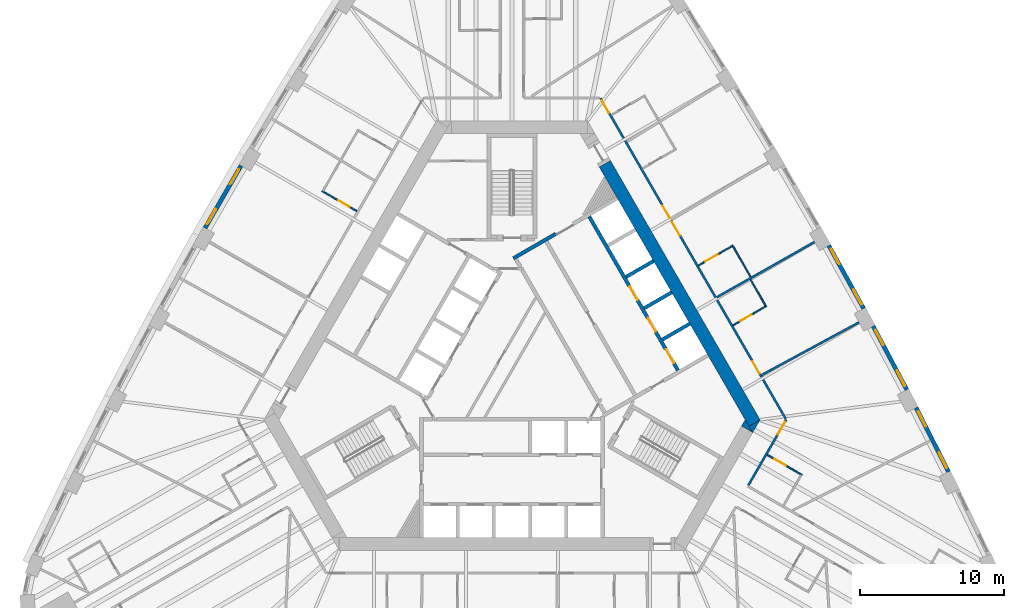
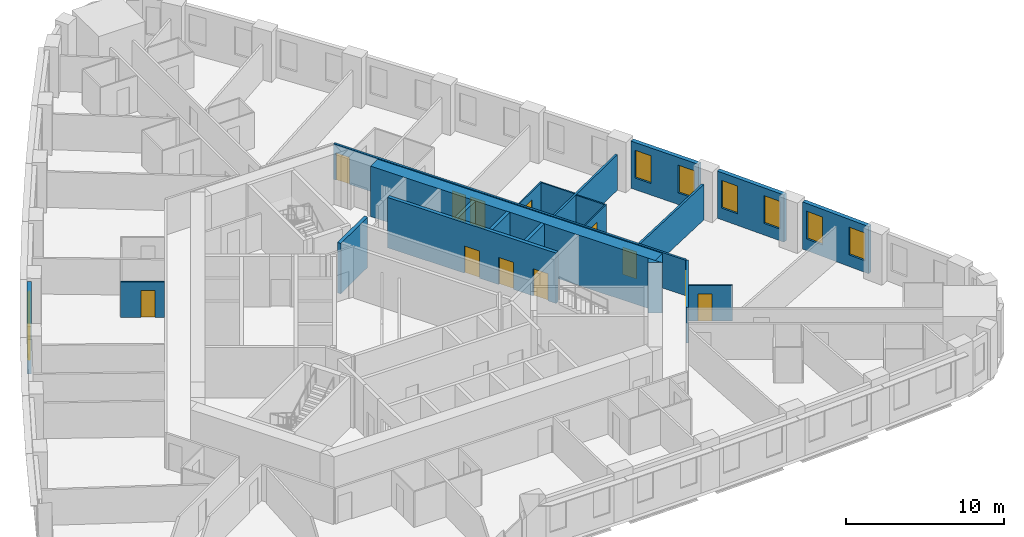
# One storey, part 8 of 12: 22 walls, 12 doors, 8 windows, 20 openings.
"""IFC4 building model written with IfcOpenShell, lengths in metres."""

from ifc_helpers import new_model, si_unit, direction, frame, frame_2d, origin, place, context, subcontext, project, spatial, polyline, rectangle, outline, extrude, material, layer, layer_set, type_object, element, fill, save


model = new_model("IFC4")

# Units and contexts
model_context = context("Model", 3, precision=1e-05, world=origin(), true_north=direction((0.0, 1.0)))
body_context = subcontext(model_context, "Body", "Model", "MODEL_VIEW")
ifc_project = project(units=[si_unit("LENGTHUNIT", "METRE"), si_unit("AREAUNIT", "SQUARE_METRE"), si_unit("VOLUMEUNIT", "CUBIC_METRE"), si_unit("PLANEANGLEUNIT", "RADIAN"), si_unit("MASSUNIT", "GRAM", prefix="KILO")], contexts=[model_context])

# Site, building, storey
site_placement = place(None, origin())
site = spatial("IfcSite", under=ifc_project, at=site_placement, CompositionType="ELEMENT")
building_placement = place(site_placement, origin())
building = spatial("IfcBuilding", under=site, at=building_placement, Name="Mestral Congress Tower", CompositionType="ELEMENT")
storey_placement = place(building_placement, frame((0.0, 0.0, 66.60009765625)))
storey = spatial("IfcBuildingStorey", under=building, at=storey_placement, Name="L15", CompositionType="ELEMENT", Elevation=66.60009765625)

# Walls
ifc_material_1 = material(Name="Concrete C60/75", Category="concrete")
ifc_layer_1 = layer(ifc_material_1, 0.89990234375)
ifc_layer_set_1 = layer_set([ifc_layer_1], Name="Concrete C60/75")
wall_type_1 = type_object("IfcWallType", Name="Core wall RC 900", PredefinedType="SOLIDWALL", material=ifc_layer_set_1)
wall_1_placement = place(storey_placement, frame((6.4609375, 13.9091796875, 0.0), z_axis=(0.0, 0.0, 1.0), x_axis=(0.500005804227, -0.866022052686, 0.0)))
element("IfcWall", 1, at=wall_1_placement, inside=storey, type_object=wall_type_1, Name="L15 core wall", PredefinedType="SOLIDWALL", context=body_context, shape_type="SweptSolid", body=[
    extrude(rectangle(XDim=20.833740234375, YDim=0.89990234375, at=frame_2d((10.4169921875, 0.0))), origin(), (0.0, 0.0, 1.0), 3.89990234375),
])
placement = place(storey_placement, origin())
element("IfcWall", 2, at=placement, inside=storey, type_object=wall_type_1, Name="L15 core wall", PredefinedType="SOLIDWALL", context=body_context, shape_type="SweptSolid", body=[
    extrude(outline(polyline([(16.7431640625, -4.800048828125), (16.4892578125, -4.360107421875), (17.251220703125, -3.920166015625), (16.7431640625, -4.800048828125)])), origin(), (0.0, 0.0, 1.0), 3.89990234375),
])
element("IfcWall", 3, at=placement, inside=storey, type_object=wall_type_1, Name="L15 core wall", PredefinedType="SOLIDWALL", context=body_context, shape_type="SweptSolid", body=[
    extrude(outline(polyline([(16.223388671875, -3.900146484375), (16.731689453125, -4.780029296875), (15.969482421875, -4.340087890625), (16.223388671875, -3.900146484375)])), origin(), (0.0, 0.0, 1.0), 3.89990234375),
])

# Wall, openings, windows
ifc_material_2 = material(Name="Precast concrete C40/50 with limestone facing", Category="masonry")
ifc_layer_2 = layer(ifc_material_2, 0.2900390625)
ifc_layer_set_2 = layer_set([ifc_layer_2], Name="Precast concrete C40/50 with limestone facing")
wall_type_2 = type_object("IfcWallType", Name="Facade stone wall 290", PredefinedType="SOLIDWALL", material=ifc_layer_set_2)
wall_4_placement = place(storey_placement, frame((30.376953125, -7.5205078125, 0.0), z_axis=(0.0, 0.0, 1.0), x_axis=(-0.451233929645, 0.892405704115, 0.0)))
wall_4 = element("IfcWall", 4, at=wall_4_placement, inside=storey, type_object=wall_type_2, Name="Facade wall F1-01", PredefinedType="SOLIDWALL", context=body_context, shape_type="SweptSolid", body=[
    extrude(rectangle(XDim=4.998291015625, YDim=0.2900390625, at=frame_2d((2.4990234375, 0.0))), origin(), (0.0, 0.0, 1.0), 3.64990234375),
])
opening_1_placement = place(wall_4_placement, frame((0.297119140625, 0.0, 0.89990234375)))
opening_1 = element("IfcOpeningElement", 5, at=opening_1_placement, cuts=wall_4, Name="Opening W1", PredefinedType="OPENING", context=body_context, shape_type="SweptSolid", body=[
    extrude(rectangle(XDim=1.199951171875, YDim=2.14990234375, at=frame_2d((0.60009765625, 1.074951171875))), frame((0.0, 0.155029296875, 0.0), z_axis=(0.0, -1.0, 0.0), x_axis=(1.0, 0.0, 0.0)), (0.0, 0.0, 1.0), 0.31005859375),
])
opening_2_placement = place(wall_4_placement, frame((3.501220703125, 0.0, 0.89990234375)))
opening_2 = element("IfcOpeningElement", 6, at=opening_2_placement, cuts=wall_4, Name="Opening W1", PredefinedType="OPENING", context=body_context, shape_type="SweptSolid", body=[
    extrude(rectangle(XDim=1.199951171875, YDim=2.14990234375, at=frame_2d((0.60009765625, 1.074951171875))), frame((0.0, 0.155029296875, 0.0), z_axis=(0.0, -1.0, 0.0), x_axis=(1.0, 0.0, 0.0)), (0.0, 0.0, 1.0), 0.31005859375),
])
ifc_material_3 = material(Name="Clear low-emissivity double glazing", Category="glass")
window_type = type_object("IfcWindowType", Name="Facade punched window 1200 x 2150 sill 900", PartitioningType="DOUBLE_PANEL_VERTICAL", PredefinedType="WINDOW", material=ifc_material_3)
window_1_placement = place(opening_1_placement, origin())
window_1 = element("IfcWindow", 7, at=window_1_placement, inside=storey, type_object=window_type, Name="Window F1-01a", OverallHeight=2.14990234375, OverallWidth=1.199951171875, PartitioningType="DOUBLE_PANEL_VERTICAL", PredefinedType="WINDOW", context=body_context, shape_type="SweptSolid", body=[
    extrude(rectangle(XDim=1.199951171875, YDim=2.14990234375, at=frame_2d((0.60009765625, 1.074951171875))), frame((0.0, 0.01513671875, 0.0), z_axis=(0.0, -1.0, 0.0), x_axis=(1.0, 0.0, 0.0)), (0.0, 0.0, 1.0), 0.06005859375),
])
fill(opening_1, window_1)
window_2_placement = place(opening_2_placement, origin())
window_2 = element("IfcWindow", 8, at=window_2_placement, inside=storey, type_object=window_type, Name="Window F1-01b", OverallHeight=2.14990234375, OverallWidth=1.199951171875, PartitioningType="DOUBLE_PANEL_VERTICAL", PredefinedType="WINDOW", context=body_context, shape_type="SweptSolid", body=[
    extrude(rectangle(XDim=1.199951171875, YDim=2.14990234375, at=frame_2d((0.60009765625, 1.074951171875))), frame((0.0, 0.01513671875, 0.0), z_axis=(0.0, -1.0, 0.0), x_axis=(1.0, 0.0, 0.0)), (0.0, 0.0, 1.0), 0.06005859375),
])
fill(opening_2, window_2)

wall_5_placement = place(storey_placement, frame((27.47509765625, -1.810302734375, 0.0), z_axis=(0.0, 0.0, 1.0), x_axis=(-0.467629620899, 0.883924509026, 0.0)))
wall_5 = element("IfcWall", 9, at=wall_5_placement, inside=storey, type_object=wall_type_2, Name="Facade wall F1-02", PredefinedType="SOLIDWALL", context=body_context, shape_type="SweptSolid", body=[
    extrude(rectangle(XDim=4.998291015625, YDim=0.2900390625, at=frame_2d((2.4990234375, 0.0))), origin(), (0.0, 0.0, 1.0), 3.64990234375),
])
opening_3_placement = place(wall_5_placement, frame((0.297119140625, 0.0, 0.89990234375)))
opening_3 = element("IfcOpeningElement", 10, at=opening_3_placement, cuts=wall_5, Name="Opening W1", PredefinedType="OPENING", context=body_context, shape_type="SweptSolid", body=[
    extrude(rectangle(XDim=1.199951171875, YDim=2.14990234375, at=frame_2d((0.60009765625, 1.074951171875))), frame((0.0, 0.155029296875, 0.0), z_axis=(0.0, -1.0, 0.0), x_axis=(1.0, 0.0, 0.0)), (0.0, 0.0, 1.0), 0.31005859375),
])
opening_4_placement = place(wall_5_placement, frame((3.501220703125, 0.0, 0.89990234375)))
opening_4 = element("IfcOpeningElement", 11, at=opening_4_placement, cuts=wall_5, Name="Opening W1", PredefinedType="OPENING", context=body_context, shape_type="SweptSolid", body=[
    extrude(rectangle(XDim=1.199951171875, YDim=2.14990234375, at=frame_2d((0.60009765625, 1.074951171875))), frame((0.0, 0.155029296875, 0.0), z_axis=(0.0, -1.0, 0.0), x_axis=(1.0, 0.0, 0.0)), (0.0, 0.0, 1.0), 0.31005859375),
])
window_3_placement = place(opening_3_placement, origin())
window_3 = element("IfcWindow", 12, at=window_3_placement, inside=storey, type_object=window_type, Name="Window F1-02a", OverallHeight=2.14990234375, OverallWidth=1.199951171875, PartitioningType="DOUBLE_PANEL_VERTICAL", PredefinedType="WINDOW", context=body_context, shape_type="SweptSolid", body=[
    extrude(rectangle(XDim=1.199951171875, YDim=2.14990234375, at=frame_2d((0.60009765625, 1.074951171875))), frame((0.0, 0.01513671875, 0.0), z_axis=(0.0, -1.0, 0.0), x_axis=(1.0, 0.0, 0.0)), (0.0, 0.0, 1.0), 0.06005859375),
])
fill(opening_3, window_3)
window_4_placement = place(opening_4_placement, origin())
window_4 = element("IfcWindow", 13, at=window_4_placement, inside=storey, type_object=window_type, Name="Window F1-02b", OverallHeight=2.14990234375, OverallWidth=1.199951171875, PartitioningType="DOUBLE_PANEL_VERTICAL", PredefinedType="WINDOW", context=body_context, shape_type="SweptSolid", body=[
    extrude(rectangle(XDim=1.199951171875, YDim=2.14990234375, at=frame_2d((0.60009765625, 1.074951171875))), frame((0.0, 0.01513671875, 0.0), z_axis=(0.0, -1.0, 0.0), x_axis=(1.0, 0.0, 0.0)), (0.0, 0.0, 1.0), 0.06005859375),
])
fill(opening_4, window_4)

wall_6_placement = place(storey_placement, frame((24.46826171875, 3.845703125, 0.0), z_axis=(0.0, 0.0, 1.0), x_axis=(-0.483912572871, 0.875116347589, 0.0)))
wall_6 = element("IfcWall", 14, at=wall_6_placement, inside=storey, type_object=wall_type_2, Name="Facade wall F1-03", PredefinedType="SOLIDWALL", context=body_context, shape_type="SweptSolid", body=[
    extrude(rectangle(XDim=4.998291015625, YDim=0.2900390625, at=frame_2d((2.4990234375, 0.0))), origin(), (0.0, 0.0, 1.0), 3.64990234375),
])
opening_5_placement = place(wall_6_placement, frame((0.297119140625, 0.0, 0.89990234375)))
opening_5 = element("IfcOpeningElement", 15, at=opening_5_placement, cuts=wall_6, Name="Opening W1", PredefinedType="OPENING", context=body_context, shape_type="SweptSolid", body=[
    extrude(rectangle(XDim=1.199951171875, YDim=2.14990234375, at=frame_2d((0.60009765625, 1.074951171875))), frame((0.0, 0.155029296875, 0.0), z_axis=(0.0, -1.0, 0.0), x_axis=(1.0, 0.0, 0.0)), (0.0, 0.0, 1.0), 0.31005859375),
])
opening_6_placement = place(wall_6_placement, frame((3.501220703125, 0.0, 0.89990234375)))
opening_6 = element("IfcOpeningElement", 16, at=opening_6_placement, cuts=wall_6, Name="Opening W1", PredefinedType="OPENING", context=body_context, shape_type="SweptSolid", body=[
    extrude(rectangle(XDim=1.199951171875, YDim=2.14990234375, at=frame_2d((0.60009765625, 1.074951171875))), frame((0.0, 0.155029296875, 0.0), z_axis=(0.0, -1.0, 0.0), x_axis=(1.0, 0.0, 0.0)), (0.0, 0.0, 1.0), 0.31005859375),
])
window_5_placement = place(opening_5_placement, origin())
window_5 = element("IfcWindow", 17, at=window_5_placement, inside=storey, type_object=window_type, Name="Window F1-03a", OverallHeight=2.14990234375, OverallWidth=1.199951171875, PartitioningType="DOUBLE_PANEL_VERTICAL", PredefinedType="WINDOW", context=body_context, shape_type="SweptSolid", body=[
    extrude(rectangle(XDim=1.199951171875, YDim=2.14990234375, at=frame_2d((0.60009765625, 1.074951171875))), frame((0.0, 0.01513671875, 0.0), z_axis=(0.0, -1.0, 0.0), x_axis=(1.0, 0.0, 0.0)), (0.0, 0.0, 1.0), 0.06005859375),
])
fill(opening_5, window_5)
window_6_placement = place(opening_6_placement, origin())
window_6 = element("IfcWindow", 18, at=window_6_placement, inside=storey, type_object=window_type, Name="Window F1-03b", OverallHeight=2.14990234375, OverallWidth=1.199951171875, PartitioningType="DOUBLE_PANEL_VERTICAL", PredefinedType="WINDOW", context=body_context, shape_type="SweptSolid", body=[
    extrude(rectangle(XDim=1.199951171875, YDim=2.14990234375, at=frame_2d((0.60009765625, 1.074951171875))), frame((0.0, 0.01513671875, 0.0), z_axis=(0.0, -1.0, 0.0), x_axis=(1.0, 0.0, 0.0)), (0.0, 0.0, 1.0), 0.06005859375),
])
fill(opening_6, window_6)

wall_7_placement = place(storey_placement, frame((-18.85791015625, 13.7734375, 0.0), z_axis=(0.0, 0.0, 1.0), x_axis=(-0.50002123722, -0.866013142123, 0.0)))
wall_7 = element("IfcWall", 19, at=wall_7_placement, inside=storey, type_object=wall_type_2, Name="Facade wall F2-04", PredefinedType="SOLIDWALL", context=body_context, shape_type="SweptSolid", body=[
    extrude(rectangle(XDim=4.998291015625, YDim=0.2900390625, at=frame_2d((2.4990234375, 0.0))), origin(), (0.0, 0.0, 1.0), 3.64990234375),
])
opening_7_placement = place(wall_7_placement, frame((0.297119140625, 0.0, 0.89990234375)))
opening_7 = element("IfcOpeningElement", 20, at=opening_7_placement, cuts=wall_7, Name="Opening W1", PredefinedType="OPENING", context=body_context, shape_type="SweptSolid", body=[
    extrude(rectangle(XDim=1.199951171875, YDim=2.14990234375, at=frame_2d((0.60009765625, 1.074951171875))), frame((0.0, 0.155029296875, 0.0), z_axis=(0.0, -1.0, 0.0), x_axis=(1.0, 0.0, 0.0)), (0.0, 0.0, 1.0), 0.31005859375),
])
opening_8_placement = place(wall_7_placement, frame((3.501220703125, 0.0, 0.89990234375)))
opening_8 = element("IfcOpeningElement", 21, at=opening_8_placement, cuts=wall_7, Name="Opening W1", PredefinedType="OPENING", context=body_context, shape_type="SweptSolid", body=[
    extrude(rectangle(XDim=1.199951171875, YDim=2.14990234375, at=frame_2d((0.60009765625, 1.074951171875))), frame((0.0, 0.155029296875, 0.0), z_axis=(0.0, -1.0, 0.0), x_axis=(1.0, 0.0, 0.0)), (0.0, 0.0, 1.0), 0.31005859375),
])
window_7_placement = place(opening_7_placement, origin())
window_7 = element("IfcWindow", 22, at=window_7_placement, inside=storey, type_object=window_type, Name="Window F2-04a", OverallHeight=2.14990234375, OverallWidth=1.199951171875, PartitioningType="DOUBLE_PANEL_VERTICAL", PredefinedType="WINDOW", context=body_context, shape_type="SweptSolid", body=[
    extrude(rectangle(XDim=1.199951171875, YDim=2.14990234375, at=frame_2d((0.60009765625, 1.074951171875))), frame((0.0, 0.01513671875, 0.0), z_axis=(0.0, -1.0, 0.0), x_axis=(1.0, 0.0, 0.0)), (0.0, 0.0, 1.0), 0.06005859375),
])
fill(opening_7, window_7)
window_8_placement = place(opening_8_placement, origin())
window_8 = element("IfcWindow", 23, at=window_8_placement, inside=storey, type_object=window_type, Name="Window F2-04b", OverallHeight=2.14990234375, OverallWidth=1.199951171875, PartitioningType="DOUBLE_PANEL_VERTICAL", PredefinedType="WINDOW", context=body_context, shape_type="SweptSolid", body=[
    extrude(rectangle(XDim=1.199951171875, YDim=2.14990234375, at=frame_2d((0.60009765625, 1.074951171875))), frame((0.0, 0.01513671875, 0.0), z_axis=(0.0, -1.0, 0.0), x_axis=(1.0, 0.0, 0.0)), (0.0, 0.0, 1.0), 0.06005859375),
])
fill(opening_8, window_8)

# Wall, opening, door
ifc_material_4 = material(Name="Gypsum board partition on metal studs with mineral wool", Category="composite")
ifc_layer_3 = layer(ifc_material_4, 0.10009765625)
ifc_layer_set_3 = layer_set([ifc_layer_3], Name="Gypsum board partition on metal studs with mineral wool")
wall_type_3 = type_object("IfcWallType", Name="Hotel partition wall 100", PredefinedType="PARTITIONING", material=ifc_layer_set_3)
wall_8_placement = place(storey_placement, frame((20.18212890625, -7.743408203125, 0.0), z_axis=(0.0, 0.0, 1.0), x_axis=(-0.866034573852, 0.49998411664, 0.0)))
wall_8 = element("IfcWall", 24, at=wall_8_placement, inside=storey, type_object=wall_type_3, Name="L15-h-pod09a", PredefinedType="PARTITIONING", context=body_context, shape_type="SweptSolid", body=[
    extrude(rectangle(XDim=2.7998046875, YDim=0.10009765625, at=frame_2d((1.39990234375, 0.0))), origin(), (0.0, 0.0, 1.0), 2.75),
])
opening_9_placement = place(wall_8_placement, frame((1.300048828125, 0.0, 0.0)))
opening_9 = element("IfcOpeningElement", 25, at=opening_9_placement, cuts=wall_8, Name="Opening H04-018", PredefinedType="OPENING", context=body_context, shape_type="SweptSolid", body=[
    extrude(rectangle(XDim=0.89990234375, YDim=2.10009765625, at=frame_2d((0.449951171875, 1.050048828125))), frame((0.0, 0.06005859375, 0.0), z_axis=(0.0, -1.0, 0.0), x_axis=(1.0, 0.0, 0.0)), (0.0, 0.0, 1.0), 0.1201171875),
])
ifc_material_5 = material(Name="Timber veneer door leaf in timber frame", Category="wood")
door_type_1 = type_object("IfcDoorType", Name="Bathroom door 900", OperationType="SINGLE_SWING_LEFT", PredefinedType="DOOR", material=ifc_material_5)
door_1_placement = place(opening_9_placement, origin())
door_1 = element("IfcDoor", 26, at=door_1_placement, inside=storey, type_object=door_type_1, Name="L15-h-d018", OperationType="SINGLE_SWING_RIGHT", OverallHeight=2.10009765625, OverallWidth=0.89990234375, PredefinedType="DOOR", context=body_context, shape_type="SweptSolid", body=[
    extrude(rectangle(XDim=0.89990234375, YDim=2.10009765625, at=frame_2d((0.449951171875, 1.050048828125))), frame((0.0, 0.02490234375, 0.0), z_axis=(0.0, -1.0, 0.0), x_axis=(1.0, 0.0, 0.0)), (0.0, 0.0, 1.0), 0.050048828125),
])
fill(opening_9, door_1)

wall_9_placement = place(storey_placement, frame((15.376220703125, 2.66796875, 0.0), z_axis=(0.0, 0.0, 1.0), x_axis=(0.866036505625, 0.499980770555, 0.0)))
wall_9 = element("IfcWall", 27, at=wall_9_placement, inside=storey, type_object=wall_type_3, Name="L15-h-pod10a", PredefinedType="PARTITIONING", context=body_context, shape_type="SweptSolid", body=[
    extrude(rectangle(XDim=2.69970703125, YDim=0.10009765625, at=frame_2d((1.349853515625, 0.0))), origin(), (0.0, 0.0, 1.0), 2.75),
])
opening_10_placement = place(wall_9_placement, frame((0.60009765625, 0.0, 0.0)))
opening_10 = element("IfcOpeningElement", 28, at=opening_10_placement, cuts=wall_9, Name="Opening H04-020", PredefinedType="OPENING", context=body_context, shape_type="SweptSolid", body=[
    extrude(rectangle(XDim=0.89990234375, YDim=2.10009765625, at=frame_2d((0.449951171875, 1.050048828125))), frame((0.0, 0.06005859375, 0.0), z_axis=(0.0, -1.0, 0.0), x_axis=(1.0, 0.0, 0.0)), (0.0, 0.0, 1.0), 0.1201171875),
])
door_2_placement = place(opening_10_placement, origin())
door_2 = element("IfcDoor", 29, at=door_2_placement, inside=storey, type_object=door_type_1, Name="L15-h-d020", OperationType="SINGLE_SWING_LEFT", OverallHeight=2.10009765625, OverallWidth=0.89990234375, PredefinedType="DOOR", context=body_context, shape_type="SweptSolid", body=[
    extrude(rectangle(XDim=0.89990234375, YDim=2.10009765625, at=frame_2d((0.449951171875, 1.050048828125))), frame((0.0, 0.02490234375, 0.0), z_axis=(0.0, -1.0, 0.0), x_axis=(1.0, 0.0, 0.0)), (0.0, 0.0, 1.0), 0.050048828125),
])
fill(opening_10, door_2)

# Wall
wall_10_placement = place(storey_placement, frame((17.64599609375, 4.0361328125, 0.0), z_axis=(0.0, 0.0, 1.0), x_axis=(-0.500027713859, 0.866009402589, 0.0)))
element("IfcWall", 30, at=wall_10_placement, inside=storey, type_object=wall_type_3, Name="L15-h-pod10b", PredefinedType="PARTITIONING", context=body_context, shape_type="SweptSolid", body=[
    extrude(rectangle(XDim=2.10009765625, YDim=0.10009765625, at=frame_2d((1.050048828125, 0.0))), origin(), (0.0, 0.0, 1.0), 2.75),
])

# Wall, opening, door
wall_11_placement = place(storey_placement, frame((15.3974609375, 8.23095703125, 0.0), z_axis=(0.0, 0.0, 1.0), x_axis=(-0.866018616679, -0.500011755427, 0.0)))
wall_11 = element("IfcWall", 31, at=wall_11_placement, inside=storey, type_object=wall_type_3, Name="L15-h-pod11a", PredefinedType="PARTITIONING", context=body_context, shape_type="SweptSolid", body=[
    extrude(rectangle(XDim=2.80029296875, YDim=0.10009765625, at=frame_2d((1.400146484375, 0.0))), origin(), (0.0, 0.0, 1.0), 2.75),
])
opening_11_placement = place(wall_11_placement, frame((1.25, 0.0, 0.0)))
opening_11 = element("IfcOpeningElement", 32, at=opening_11_placement, cuts=wall_11, Name="Opening H04-022", PredefinedType="OPENING", context=body_context, shape_type="SweptSolid", body=[
    extrude(rectangle(XDim=1.0, YDim=2.10009765625, at=frame_2d((0.5, 1.050048828125))), frame((0.0, 0.06005859375, 0.0), z_axis=(0.0, -1.0, 0.0), x_axis=(1.0, 0.0, 0.0)), (0.0, 0.0, 1.0), 0.1201171875),
])
door_type_2 = type_object("IfcDoorType", Name="Accessible bathroom door 1000", OperationType="SINGLE_SWING_LEFT", PredefinedType="DOOR", material=ifc_material_5)
door_3_placement = place(opening_11_placement, origin())
door_3 = element("IfcDoor", 33, at=door_3_placement, inside=storey, type_object=door_type_2, Name="L15-h-d022", OperationType="SINGLE_SWING_LEFT", OverallHeight=2.10009765625, OverallWidth=1.0, PredefinedType="DOOR", context=body_context, shape_type="SweptSolid", body=[
    extrude(rectangle(XDim=1.0, YDim=2.10009765625, at=frame_2d((0.5, 1.050048828125))), frame((0.0, 0.02490234375, 0.0), z_axis=(0.0, -1.0, 0.0), x_axis=(1.0, 0.0, 0.0)), (0.0, 0.0, 1.0), 0.050048828125),
])
fill(opening_11, door_3)

# Wall
wall_12_placement = place(storey_placement, frame((15.379150390625, 8.16259765625, 0.0), z_axis=(0.0, 0.0, 1.0), x_axis=(0.499987006516, -0.866032905446, 0.0)))
element("IfcWall", 34, at=wall_12_placement, inside=storey, type_object=wall_type_3, Name="L15-h-pod11b", PredefinedType="PARTITIONING", context=body_context, shape_type="SweptSolid", body=[
    extrude(rectangle(XDim=2.44970703125, YDim=0.10009765625, at=frame_2d((1.224853515625, 0.0))), origin(), (0.0, 0.0, 1.0), 2.75),
])

# Wall, opening, door
wall_13_placement = place(storey_placement, frame((-13.215087890625, 12.0107421875, 0.0), z_axis=(0.0, 0.0, 1.0), x_axis=(0.865996816683, -0.500049511043, 0.0)))
wall_13 = element("IfcWall", 35, at=wall_13_placement, inside=storey, type_object=wall_type_3, Name="L15-h-pod19a", PredefinedType="PARTITIONING", context=body_context, shape_type="SweptSolid", body=[
    extrude(rectangle(XDim=2.800048828125, YDim=0.10009765625, at=frame_2d((1.39990234375, 0.0))), origin(), (0.0, 0.0, 1.0), 2.75),
])
opening_12_placement = place(wall_13_placement, frame((1.300048828125, 0.0, 0.0)))
opening_12 = element("IfcOpeningElement", 36, at=opening_12_placement, cuts=wall_13, Name="Opening H04-038", PredefinedType="OPENING", context=body_context, shape_type="SweptSolid", body=[
    extrude(rectangle(XDim=0.89990234375, YDim=2.10009765625, at=frame_2d((0.449951171875, 1.050048828125))), frame((0.0, 0.06005859375, 0.0), z_axis=(0.0, -1.0, 0.0), x_axis=(1.0, 0.0, 0.0)), (0.0, 0.0, 1.0), 0.1201171875),
])
door_4_placement = place(opening_12_placement, origin())
door_4 = element("IfcDoor", 37, at=door_4_placement, inside=storey, type_object=door_type_1, Name="L15-h-d038", OperationType="SINGLE_SWING_LEFT", OverallHeight=2.10009765625, OverallWidth=0.89990234375, PredefinedType="DOOR", context=body_context, shape_type="SweptSolid", body=[
    extrude(rectangle(XDim=0.89990234375, YDim=2.10009765625, at=frame_2d((0.449951171875, 1.050048828125))), frame((0.0, 0.02490234375, 0.0), z_axis=(0.0, -1.0, 0.0), x_axis=(1.0, 0.0, 0.0)), (0.0, 0.0, 1.0), 0.050048828125),
])
fill(opening_12, door_4)

ifc_layer_4 = layer(ifc_material_4, 0.14990234375)
ifc_layer_set_4 = layer_set([ifc_layer_4], Name="Gypsum board partition on metal studs with mineral wool")
wall_type_4 = type_object("IfcWallType", Name="Hotel partition wall 150", PredefinedType="PARTITIONING", material=ifc_layer_set_4)
wall_14_placement = place(storey_placement, frame((19.081298828125, -3.89990234375, 0.0), z_axis=(0.0, 0.0, 1.0), x_axis=(-0.499974327079, -0.866040225545, 0.0)))
wall_14 = element("IfcWall", 38, at=wall_14_placement, inside=storey, type_object=wall_type_4, Name="L15-h-cw02", PredefinedType="PARTITIONING", context=body_context, shape_type="SweptSolid", body=[
    extrude(rectangle(XDim=5.258056640625, YDim=0.14990234375, at=frame_2d((2.62890625, 0.0))), origin(), (0.0, 0.0, 1.0), 2.75),
])
opening_13_placement = place(wall_14_placement, frame((0.179931640625, 0.0, 0.0)))
opening_13 = element("IfcOpeningElement", 39, at=opening_13_placement, cuts=wall_14, Name="Opening H04-017", PredefinedType="OPENING", context=body_context, shape_type="SweptSolid", body=[
    extrude(rectangle(XDim=1.0, YDim=2.10009765625, at=frame_2d((0.5, 1.050048828125))), frame((0.0, 0.0849609375, 0.0), z_axis=(0.0, -1.0, 0.0), x_axis=(1.0, 0.0, 0.0)), (0.0, 0.0, 1.0), 0.169921875),
])
ifc_material_6 = material(Name="Timber veneer door leaf in metal frame", Category="wood")
door_type_3 = type_object("IfcDoorType", Name="Guest room entrance door 1000", OperationType="SINGLE_SWING_LEFT", PredefinedType="DOOR", material=ifc_material_6)
door_5_placement = place(opening_13_placement, origin())
door_5 = element("IfcDoor", 40, at=door_5_placement, inside=storey, type_object=door_type_3, Name="L15-h-d017", OperationType="SINGLE_SWING_LEFT", OverallHeight=2.10009765625, OverallWidth=1.0, PredefinedType="DOOR", context=body_context, shape_type="SweptSolid", body=[
    extrude(rectangle(XDim=1.0, YDim=2.10009765625, at=frame_2d((0.5, 1.050048828125))), frame((0.0, 0.02490234375, 0.0), z_axis=(0.0, -1.0, 0.0), x_axis=(1.0, 0.0, 0.0)), (0.0, 0.0, 1.0), 0.050048828125),
])
fill(opening_13, door_5)

# Wall, openings, doors
wall_15_placement = place(storey_placement, frame((6.1630859375, 18.47509765625, 0.0), z_axis=(0.0, 0.0, 1.0), x_axis=(0.500001317485, -0.866024643133, 0.0)))
wall_15 = element("IfcWall", 41, at=wall_15_placement, inside=storey, type_object=wall_type_4, Name="L15-h-cw03", PredefinedType="PARTITIONING", context=body_context, shape_type="SweptSolid", body=[
    extrude(rectangle(XDim=25.7666015625, YDim=0.14990234375, at=frame_2d((12.88330078125, 0.0))), origin(), (0.0, 0.0, 1.0), 2.75),
])
opening_14_placement = place(wall_15_placement, frame((21.13818359375, 0.0, 0.0)))
opening_14 = element("IfcOpeningElement", 42, at=opening_14_placement, cuts=wall_15, Name="Opening H04-019", PredefinedType="OPENING", context=body_context, shape_type="SweptSolid", body=[
    extrude(rectangle(XDim=1.0, YDim=2.10009765625, at=frame_2d((0.5, 1.050048828125))), frame((0.0, 0.0849609375, 0.0), z_axis=(0.0, -1.0, 0.0), x_axis=(1.0, 0.0, 0.0)), (0.0, 0.0, 1.0), 0.169921875),
])
opening_15_placement = place(wall_15_placement, frame((9.94775390625, 0.0, 0.0)))
opening_15 = element("IfcOpeningElement", 43, at=opening_15_placement, cuts=wall_15, Name="Opening H04-021", PredefinedType="OPENING", context=body_context, shape_type="SweptSolid", body=[
    extrude(rectangle(XDim=1.10009765625, YDim=2.10009765625, at=frame_2d((0.550048828125, 1.050048828125))), frame((0.0, 0.0849609375, 0.0), z_axis=(0.0, -1.0, 0.0), x_axis=(1.0, 0.0, 0.0)), (0.0, 0.0, 1.0), 0.169921875),
])
opening_16_placement = place(wall_15_placement, frame((8.640625, 0.0, 0.0)))
opening_16 = element("IfcOpeningElement", 44, at=opening_16_placement, cuts=wall_15, Name="Opening H04-023", PredefinedType="OPENING", context=body_context, shape_type="SweptSolid", body=[
    extrude(rectangle(XDim=1.0, YDim=2.10009765625, at=frame_2d((0.5, 1.050048828125))), frame((0.0, 0.0849609375, 0.0), z_axis=(0.0, -1.0, 0.0), x_axis=(1.0, 0.0, 0.0)), (0.0, 0.0, 1.0), 0.169921875),
])
opening_17_placement = place(wall_15_placement, frame((0.179931640625, 0.0, 0.0)))
opening_17 = element("IfcOpeningElement", 45, at=opening_17_placement, cuts=wall_15, Name="Opening H04-025", PredefinedType="OPENING", context=body_context, shape_type="SweptSolid", body=[
    extrude(rectangle(XDim=1.0, YDim=2.10009765625, at=frame_2d((0.5, 1.050048828125))), frame((0.0, 0.0849609375, 0.0), z_axis=(0.0, -1.0, 0.0), x_axis=(1.0, 0.0, 0.0)), (0.0, 0.0, 1.0), 0.169921875),
])
door_type_4 = type_object("IfcDoorType", Name="Accessible room entrance door 1100", OperationType="SINGLE_SWING_LEFT", PredefinedType="DOOR", material=ifc_material_6)
door_6_placement = place(opening_15_placement, origin())
door_6 = element("IfcDoor", 46, at=door_6_placement, inside=storey, type_object=door_type_4, Name="L15-h-d021", OperationType="SINGLE_SWING_LEFT", OverallHeight=2.10009765625, OverallWidth=1.10009765625, PredefinedType="DOOR", context=body_context, shape_type="SweptSolid", body=[
    extrude(rectangle(XDim=1.10009765625, YDim=2.10009765625, at=frame_2d((0.550048828125, 1.050048828125))), frame((0.0, 0.02490234375, 0.0), z_axis=(0.0, -1.0, 0.0), x_axis=(1.0, 0.0, 0.0)), (0.0, 0.0, 1.0), 0.050048828125),
])
fill(opening_15, door_6)
door_7_placement = place(opening_14_placement, origin())
door_7 = element("IfcDoor", 47, at=door_7_placement, inside=storey, type_object=door_type_3, Name="L15-h-d019", OperationType="SINGLE_SWING_RIGHT", OverallHeight=2.10009765625, OverallWidth=1.0, PredefinedType="DOOR", context=body_context, shape_type="SweptSolid", body=[
    extrude(rectangle(XDim=1.0, YDim=2.10009765625, at=frame_2d((0.5, 1.050048828125))), frame((0.0, 0.02490234375, 0.0), z_axis=(0.0, -1.0, 0.0), x_axis=(1.0, 0.0, 0.0)), (0.0, 0.0, 1.0), 0.050048828125),
])
fill(opening_14, door_7)
door_8_placement = place(opening_16_placement, origin())
door_8 = element("IfcDoor", 48, at=door_8_placement, inside=storey, type_object=door_type_3, Name="L15-h-d023", OperationType="SINGLE_SWING_RIGHT", OverallHeight=2.10009765625, OverallWidth=1.0, PredefinedType="DOOR", context=body_context, shape_type="SweptSolid", body=[
    extrude(rectangle(XDim=1.0, YDim=2.10009765625, at=frame_2d((0.5, 1.050048828125))), frame((0.0, 0.02490234375, 0.0), z_axis=(0.0, -1.0, 0.0), x_axis=(1.0, 0.0, 0.0)), (0.0, 0.0, 1.0), 0.050048828125),
])
fill(opening_16, door_8)
door_9_placement = place(opening_17_placement, origin())
door_9 = element("IfcDoor", 49, at=door_9_placement, inside=storey, type_object=door_type_3, Name="L15-h-d025", OperationType="SINGLE_SWING_LEFT", OverallHeight=2.10009765625, OverallWidth=1.0, PredefinedType="DOOR", context=body_context, shape_type="SweptSolid", body=[
    extrude(rectangle(XDim=1.0, YDim=2.10009765625, at=frame_2d((0.5, 1.050048828125))), frame((0.0, 0.02490234375, 0.0), z_axis=(0.0, -1.0, 0.0), x_axis=(1.0, 0.0, 0.0)), (0.0, 0.0, 1.0), 0.050048828125),
])
fill(opening_17, door_9)

# Walls
wall_16_placement = place(storey_placement, frame((21.051513671875, 8.464111328125, 0.0), z_axis=(0.0, 0.0, 1.0), x_axis=(-0.87059371954, -0.492002617368, 0.0)))
element("IfcWall", 50, at=wall_16_placement, inside=storey, type_object=wall_type_4, Name="L15-h-pw19", PredefinedType="PARTITIONING", context=body_context, shape_type="SweptSolid", body=[
    extrude(rectangle(XDim=7.803466796875, YDim=0.14990234375, at=frame_2d((3.90185546875, 0.0))), origin(), (0.0, 0.0, 1.0), 2.75),
])
wall_17_placement = place(storey_placement, frame((24.14453125, 2.87060546875, 0.0), z_axis=(0.0, 0.0, 1.0), x_axis=(-0.879551725039, -0.475803281809, 0.0)))
element("IfcWall", 51, at=wall_17_placement, inside=storey, type_object=wall_type_4, Name="L15-h-pw21", PredefinedType="PARTITIONING", context=body_context, shape_type="SweptSolid", body=[
    extrude(rectangle(XDim=7.68798828125, YDim=0.14990234375, at=frame_2d((3.843994140625, 0.0))), origin(), (0.0, 0.0, 1.0), 2.75),
])
ifc_layer_5 = layer(ifc_material_1, 0.25)
ifc_layer_set_5 = layer_set([ifc_layer_5], Name="Concrete C60/75")
wall_type_5 = type_object("IfcWallType", Name="Shaft wall RC 250", PredefinedType="SOLIDWALL", material=ifc_layer_set_5)
for number, where, z_axis, x_axis, name in (
    (52, (10.463623046875, 1.676513671875, 0.0), (0.0, 0.0, 1.0), (0.86605622881, 0.499946605688, 0.0), "L15 core wall"),
    (53, (9.20361328125, 3.85888671875, 0.0), (0.0, 0.0, 1.0), (0.86605622881, 0.499946605688, 0.0), "L15 core wall"),
    (54, (7.943603515625, 6.041259765625, 0.0), (0.0, 0.0, 1.0), (0.86605622881, 0.499946605688, 0.0), "L15 core wall"),
):
    element("IfcWall", number, at=place(storey_placement, frame(where, z_axis=z_axis, x_axis=x_axis)), inside=storey, type_object=wall_type_5, Name=name, PredefinedType="SOLIDWALL", context=body_context, shape_type="SweptSolid", body=[
        extrude(rectangle(XDim=2.199951171875, YDim=0.25, at=frame_2d((1.10009765625, 0.0))), origin(), (0.0, 0.0, 1.0), 3.89990234375),
    ])
wall_18_placement = place(storey_placement, frame((0.09765625, 7.330810546875, 0.0), z_axis=(0.0, 0.0, 1.0), x_axis=(0.865988154826, 0.50006451154, 0.0)))
element("IfcWall", 55, at=wall_18_placement, inside=storey, type_object=wall_type_5, Name="L15 core wall", PredefinedType="SOLIDWALL", context=body_context, shape_type="SweptSolid", body=[
    extrude(rectangle(XDim=3.39794921875, YDim=0.25, at=frame_2d((1.698974609375, 0.0))), origin(), (0.0, 0.0, 1.0), 3.89990234375),
])

# Wall, openings, doors
wall_19_placement = place(storey_placement, frame((11.552978515625, -0.460205078125, 0.0), z_axis=(0.0, 0.0, 1.0), x_axis=(-0.500006514828, 0.866021642414, 0.0)))
wall_19 = element("IfcWall", 56, at=wall_19_placement, inside=storey, type_object=wall_type_5, Name="L15 door wall", PredefinedType="SOLIDWALL", context=body_context, shape_type="SweptSolid", body=[
    extrude(rectangle(XDim=12.349853515625, YDim=0.25, at=frame_2d((6.1748046875, 0.0))), origin(), (0.0, 0.0, 1.0), 3.89990234375),
])
opening_18_placement = place(wall_19_placement, frame((0.5849609375, 0.0, 0.0)))
opening_18 = element("IfcOpeningElement", 57, at=opening_18_placement, cuts=wall_19, Name="Opening LD-NEA1", PredefinedType="OPENING", context=body_context, shape_type="SweptSolid", body=[
    extrude(rectangle(XDim=1.10009765625, YDim=2.10009765625, at=frame_2d((0.550048828125, 1.050048828125))), frame((0.0, 0.135009765625, 0.0), z_axis=(0.0, -1.0, 0.0), x_axis=(1.0, 0.0, 0.0)), (0.0, 0.0, 1.0), 0.27001953125),
])
opening_19_placement = place(wall_19_placement, frame((3.10498046875, 0.0, 0.0)))
opening_19 = element("IfcOpeningElement", 58, at=opening_19_placement, cuts=wall_19, Name="Opening LD-NEA2", PredefinedType="OPENING", context=body_context, shape_type="SweptSolid", body=[
    extrude(rectangle(XDim=1.10009765625, YDim=2.10009765625, at=frame_2d((0.550048828125, 1.050048828125))), frame((0.0, 0.135009765625, 0.0), z_axis=(0.0, -1.0, 0.0), x_axis=(1.0, 0.0, 0.0)), (0.0, 0.0, 1.0), 0.27001953125),
])
opening_20_placement = place(wall_19_placement, frame((5.625, 0.0, 0.0)))
opening_20 = element("IfcOpeningElement", 59, at=opening_20_placement, cuts=wall_19, Name="Opening LD-NEA3", PredefinedType="OPENING", context=body_context, shape_type="SweptSolid", body=[
    extrude(rectangle(XDim=1.10009765625, YDim=2.10009765625, at=frame_2d((0.550048828125, 1.050048828125))), frame((0.0, 0.135009765625, 0.0), z_axis=(0.0, -1.0, 0.0), x_axis=(1.0, 0.0, 0.0)), (0.0, 0.0, 1.0), 0.27001953125),
])
ifc_material_7 = material(Name="Fire-rated steel door set", Category="steel")
door_type_5 = type_object("IfcDoorType", Name="Core door LD 1100x2100", OperationType="DOUBLE_DOOR_SLIDING", PredefinedType="DOOR", material=ifc_material_7)
door_10_placement = place(opening_18_placement, origin())
door_10 = element("IfcDoor", 60, at=door_10_placement, inside=storey, type_object=door_type_5, Name="Door LD-NEA1", OperationType="DOUBLE_DOOR_SLIDING", OverallHeight=2.10009765625, OverallWidth=1.10009765625, PredefinedType="DOOR", context=body_context, shape_type="SweptSolid", body=[
    extrude(rectangle(XDim=1.10009765625, YDim=2.10009765625, at=frame_2d((0.550048828125, 1.050048828125))), frame((0.0, 0.02490234375, 0.0), z_axis=(0.0, -1.0, 0.0), x_axis=(1.0, 0.0, 0.0)), (0.0, 0.0, 1.0), 0.050048828125),
])
fill(opening_18, door_10)
door_11_placement = place(opening_19_placement, origin())
door_11 = element("IfcDoor", 61, at=door_11_placement, inside=storey, type_object=door_type_5, Name="Door LD-NEA2", OperationType="DOUBLE_DOOR_SLIDING", OverallHeight=2.10009765625, OverallWidth=1.10009765625, PredefinedType="DOOR", context=body_context, shape_type="SweptSolid", body=[
    extrude(rectangle(XDim=1.10009765625, YDim=2.10009765625, at=frame_2d((0.550048828125, 1.050048828125))), frame((0.0, 0.02490234375, 0.0), z_axis=(0.0, -1.0, 0.0), x_axis=(1.0, 0.0, 0.0)), (0.0, 0.0, 1.0), 0.050048828125),
])
fill(opening_19, door_11)
door_12_placement = place(opening_20_placement, origin())
door_12 = element("IfcDoor", 62, at=door_12_placement, inside=storey, type_object=door_type_5, Name="Door LD-NEA3", OperationType="DOUBLE_DOOR_SLIDING", OverallHeight=2.10009765625, OverallWidth=1.10009765625, PredefinedType="DOOR", context=body_context, shape_type="SweptSolid", body=[
    extrude(rectangle(XDim=1.10009765625, YDim=2.10009765625, at=frame_2d((0.550048828125, 1.050048828125))), frame((0.0, 0.02490234375, 0.0), z_axis=(0.0, -1.0, 0.0), x_axis=(1.0, 0.0, 0.0)), (0.0, 0.0, 1.0), 0.050048828125),
])
fill(opening_20, door_12)

save(model, "model.ifc")
